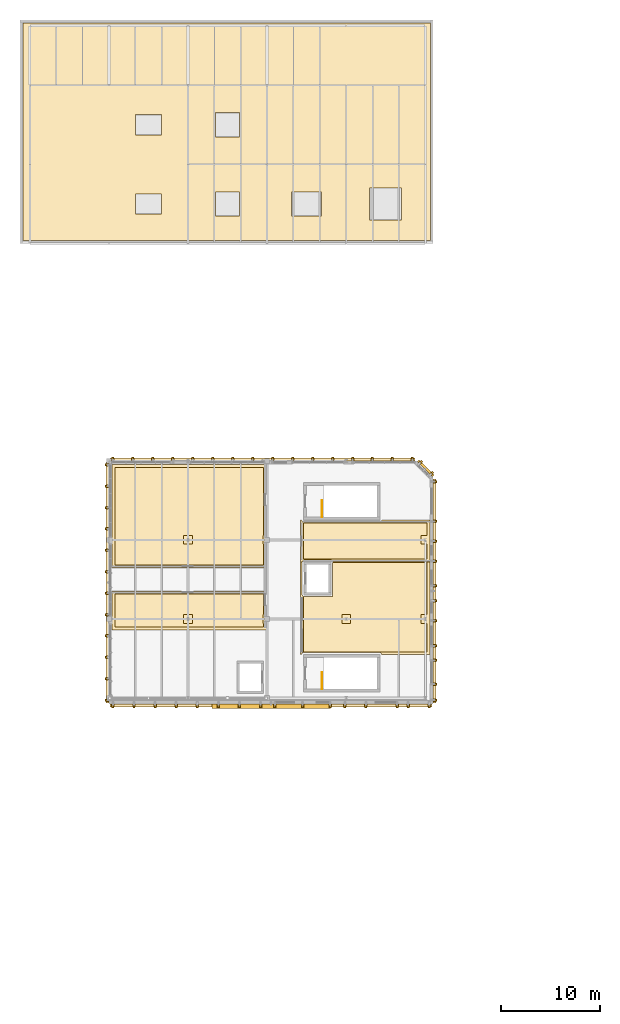
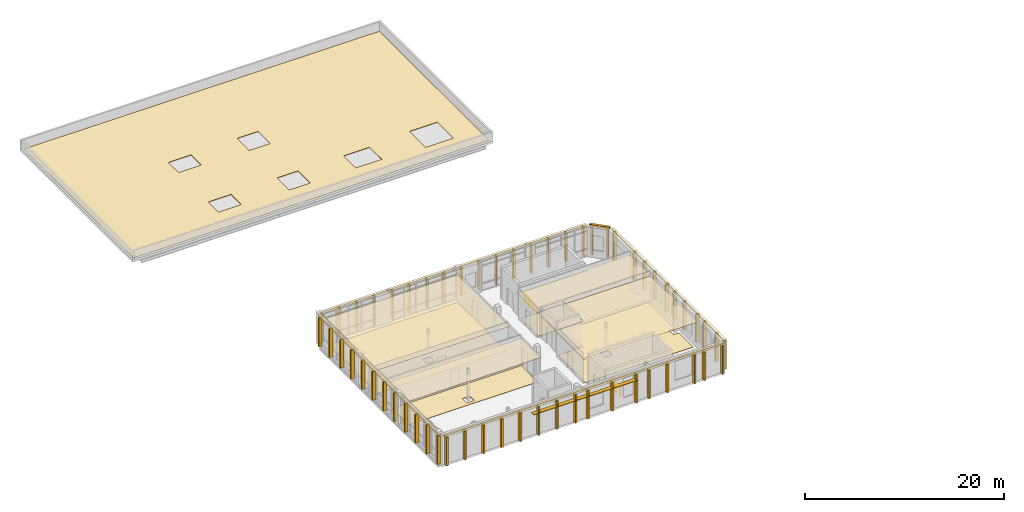
# One storey, part 25 of 28: 71 coverings, 2 railings, 1 shading device.
"""IFC4 building model written with IfcOpenShell, lengths in metres."""

from ifc_helpers import new_model, si_unit, direction, frame, origin, origin_2d, place, context, subcontext, project, spatial, polyline, rectangle, circle, outline, extrude, material, layer, layer_set, type_object, element, save


model = new_model("IFC4")

# Units and contexts
model_context = context("Model", 3, precision=1e-05, world=origin(), true_north=direction((0.0, 1.0)))
body_context = subcontext(model_context, "Body", "Model", "MODEL_VIEW")
ifc_project = project(units=[si_unit("LENGTHUNIT", "METRE"), si_unit("AREAUNIT", "SQUARE_METRE"), si_unit("VOLUMEUNIT", "CUBIC_METRE"), si_unit("PLANEANGLEUNIT", "RADIAN"), si_unit("MASSUNIT", "GRAM", prefix="KILO")], contexts=[model_context])

# Site, building, storey
site_placement = place(None, origin())
site = spatial("IfcSite", under=ifc_project, at=site_placement, CompositionType="ELEMENT")
building_placement = place(site_placement, origin())
building = spatial("IfcBuilding", under=site, at=building_placement, Name="Cymarion Research Institute", CompositionType="ELEMENT")
storey_placement = place(building_placement, frame((0.0, 0.0, 30.60009765625)))
storey = spatial("IfcBuildingStorey", under=building, at=storey_placement, Name="L07", CompositionType="ELEMENT", Elevation=30.60009765625)

# Coverings
ifc_material_1 = material(Name="Micro-perforated mineral acoustic ceiling tile", Category="gypsum")
ifc_layer_1 = layer(ifc_material_1, 0.030029296875)
ifc_layer_set_1 = layer_set([ifc_layer_1], Name="Micro-perforated mineral acoustic ceiling tile")
covering_type_1 = type_object("IfcCoveringType", Name="ACOUSTIC MICRO-PERFORATED SUSPENDED CEILING CLG-01", PredefinedType="CEILING", material=ifc_layer_set_1)
covering_1_placement = place(storey_placement, frame((0.0, 0.0, 3.10986328125)))
element("IfcCovering", 1, at=covering_1_placement, inside=storey, type_object=covering_type_1, Name="L07 L07 Quantum Photonics & Ultrafast Laser Laboratory acoustic ceiling", PredefinedType="CEILING", context=body_context, shape_type="SweptSolid", body=[
    extrude(outline(polyline([(30.514892578125, 55.364990234375), (30.514892578125, 54.385009765625), (14.905029296875, 54.385009765625), (14.905029296875, 58.31494140625), (30.514892578125, 58.31494140625), (30.514892578125, 55.635009765625), (30.465087890625, 55.635009765625), (30.465087890625, 55.364990234375), (30.514892578125, 55.364990234375)])), origin(), (0.0, 0.0, 1.0), 0.030029296875),
])
covering_2_placement = place(storey_placement, frame((0.0, 0.0, 3.10986328125)))
element("IfcCovering", 2, at=covering_2_placement, inside=storey, type_object=covering_type_1, Name="L07 L07 Biophotonics & Sensor Prototyping Laboratory acoustic ceiling", PredefinedType="CEILING", context=body_context, shape_type="SweptSolid", body=[
    extrude(outline(polyline([(30.514892578125, 63.364990234375), (30.514892578125, 60.68505859375), (14.905029296875, 60.68505859375), (14.905029296875, 71.114990234375), (30.514892578125, 71.114990234375), (30.514892578125, 63.635009765625), (30.465087890625, 63.635009765625), (30.465087890625, 63.364990234375), (30.514892578125, 63.364990234375)])), origin(), (0.0, 0.0, 1.0), 0.030029296875),
])
covering_3_placement = place(storey_placement, frame((0.0, 0.0, 3.10986328125)))
element("IfcCovering", 3, at=covering_3_placement, inside=storey, type_object=covering_type_1, Name="L07 L07 Optics Researcher Write-Up & Simulation Office acoustic ceiling", PredefinedType="CEILING", context=body_context, shape_type="SweptSolid", body=[
    extrude(outline(polyline([(47.094970703125, 61.514892578125), (47.094970703125, 51.885009765625), (42.199951171875, 51.885009765625), (42.199951171875, 51.89990234375), (42.198974609375, 51.919677734375), (42.1962890625, 51.93896484375), (42.19140625, 51.9580078125), (42.184814453125, 51.9765625), (42.176513671875, 51.994384765625), (42.166259765625, 52.010986328125), (42.154541015625, 52.02685546875), (42.141357421875, 52.04150390625), (42.126953125, 52.0546875), (42.111083984375, 52.06640625), (42.09423828125, 52.076416015625), (42.076416015625, 52.084716796875), (42.05810546875, 52.09130859375), (42.0390625, 52.09619140625), (42.01953125, 52.09912109375), (42.0, 52.10009765625), (34.300048828125, 52.10009765625), (34.280517578125, 52.09912109375), (34.260986328125, 52.09619140625), (34.241943359375, 52.09130859375), (34.223388671875, 52.084716796875), (34.205810546875, 52.076416015625), (34.18896484375, 52.06640625), (34.173095703125, 52.0546875), (34.15869140625, 52.04150390625), (34.1455078125, 52.02685546875), (34.1337890625, 52.010986328125), (34.12353515625, 51.994384765625), (34.115234375, 51.9765625), (34.108642578125, 51.9580078125), (34.103759765625, 51.93896484375), (34.10107421875, 51.919677734375), (34.10009765625, 51.89990234375), (34.10009765625, 51.885009765625), (33.985107421875, 51.885009765625), (33.985107421875, 61.514892578125), (47.094970703125, 61.514892578125)]), holes=[polyline([(34.31103515625, 57.75390625), (34.330322265625, 57.7509765625), (34.35009765625, 57.75), (37.050048828125, 57.75), (37.069580078125, 57.7509765625), (37.089111328125, 57.75390625), (37.108154296875, 57.758544921875), (37.12646484375, 57.76513671875), (37.144287109375, 57.773681640625), (37.1611328125, 57.78369140625), (37.177001953125, 57.79541015625), (37.19140625, 57.80859375), (37.20458984375, 57.822998046875), (37.21630859375, 57.8388671875), (37.226318359375, 57.855712890625), (37.23486328125, 57.87353515625), (37.241455078125, 57.891845703125), (37.24609375, 57.910888671875), (37.2490234375, 57.930419921875), (37.25, 57.949951171875), (37.25, 61.25), (37.2490234375, 61.26953125), (37.24609375, 61.2890625), (37.241455078125, 61.30810546875), (37.23486328125, 61.326416015625), (37.226318359375, 61.34423828125), (37.21630859375, 61.361083984375), (37.20458984375, 61.376953125), (37.19140625, 61.391357421875), (37.177001953125, 61.404541015625), (37.1611328125, 61.416259765625), (37.144287109375, 61.426513671875), (37.12646484375, 61.434814453125), (37.108154296875, 61.44140625), (37.089111328125, 61.4462890625), (37.069580078125, 61.448974609375), (37.050048828125, 61.449951171875), (34.35009765625, 61.449951171875), (34.330322265625, 61.448974609375), (34.31103515625, 61.4462890625), (34.2919921875, 61.44140625), (34.2734375, 61.434814453125), (34.255615234375, 61.426513671875), (34.239013671875, 61.416259765625), (34.22314453125, 61.404541015625), (34.20849609375, 61.391357421875), (34.1953125, 61.376953125), (34.18359375, 61.361083984375), (34.173583984375, 61.34423828125), (34.165283203125, 61.326416015625), (34.15869140625, 61.30810546875), (34.15380859375, 61.2890625), (34.15087890625, 61.26953125), (34.14990234375, 61.25), (34.14990234375, 57.949951171875), (34.15087890625, 57.930419921875), (34.15380859375, 57.910888671875), (34.15869140625, 57.891845703125), (34.165283203125, 57.87353515625), (34.173583984375, 57.855712890625), (34.18359375, 57.8388671875), (34.1953125, 57.822998046875), (34.20849609375, 57.80859375), (34.22314453125, 57.79541015625), (34.239013671875, 57.78369140625), (34.255615234375, 57.773681640625), (34.2734375, 57.76513671875), (34.2919921875, 57.758544921875), (34.31103515625, 57.75390625)])]), origin(), (0.0, 0.0, 1.0), 0.030029296875),
])
covering_4_placement = place(storey_placement, frame((0.0, 0.0, 3.10986328125)))
element("IfcCovering", 4, at=covering_4_placement, inside=storey, type_object=covering_type_1, Name="L07 L07 Accessible WC and Upper V4 Staff Washrooms acoustic ceiling", PredefinedType="CEILING", context=body_context, shape_type="SweptSolid", body=[
    extrude(outline(polyline([(34.10009765625, 65.514892578125), (34.10009765625, 65.5), (34.10107421875, 65.48046875), (34.103759765625, 65.4609375), (34.108642578125, 65.44189453125), (34.115234375, 65.423583984375), (34.12353515625, 65.40576171875), (34.1337890625, 65.388916015625), (34.1455078125, 65.373046875), (34.15869140625, 65.358642578125), (34.173095703125, 65.345458984375), (34.18896484375, 65.333740234375), (34.205810546875, 65.323486328125), (34.223388671875, 65.315185546875), (34.241943359375, 65.30859375), (34.260986328125, 65.3037109375), (34.280517578125, 65.301025390625), (34.300048828125, 65.300048828125), (42.0, 65.300048828125), (42.01953125, 65.301025390625), (42.0390625, 65.3037109375), (42.05810546875, 65.30859375), (42.076416015625, 65.315185546875), (42.09423828125, 65.323486328125), (42.111083984375, 65.333740234375), (42.126953125, 65.345458984375), (42.141357421875, 65.358642578125), (42.154541015625, 65.373046875), (42.166259765625, 65.388916015625), (42.176513671875, 65.40576171875), (42.184814453125, 65.423583984375), (42.19140625, 65.44189453125), (42.1962890625, 65.4609375), (42.198974609375, 65.48046875), (42.199951171875, 65.5), (42.199951171875, 65.514892578125), (47.094970703125, 65.514892578125), (47.094970703125, 61.284912109375), (37.246826171875, 61.284912109375), (37.24609375, 61.2890625), (37.241455078125, 61.30810546875), (37.23486328125, 61.326416015625), (37.226318359375, 61.34423828125), (37.21630859375, 61.361083984375), (37.20458984375, 61.376953125), (37.19140625, 61.391357421875), (37.177001953125, 61.404541015625), (37.1611328125, 61.416259765625), (37.144287109375, 61.426513671875), (37.12646484375, 61.434814453125), (37.108154296875, 61.44140625), (37.089111328125, 61.4462890625), (37.069580078125, 61.448974609375), (37.050048828125, 61.449951171875), (34.35009765625, 61.449951171875), (34.330322265625, 61.448974609375), (34.31103515625, 61.4462890625), (34.2919921875, 61.44140625), (34.2734375, 61.434814453125), (34.255615234375, 61.426513671875), (34.239013671875, 61.416259765625), (34.22314453125, 61.404541015625), (34.20849609375, 61.391357421875), (34.1953125, 61.376953125), (34.18359375, 61.361083984375), (34.173583984375, 61.34423828125), (34.165283203125, 61.326416015625), (34.15869140625, 61.30810546875), (34.15380859375, 61.2890625), (34.1533203125, 61.284912109375), (33.985107421875, 61.284912109375), (33.985107421875, 65.514892578125), (34.10009765625, 65.514892578125)])), origin(), (0.0, 0.0, 1.0), 0.030029296875),
])

# Shading device
ifc_material_2 = material(Name="Anodised aluminium solar louvre jalousie", Category="aluminium")
ifc_layer_2 = layer(ifc_material_2, 0.06005859375)
ifc_layer_set_2 = layer_set([ifc_layer_2], Name="Anodised aluminium solar louvre jalousie")
shading_device_type = type_object("IfcShadingDeviceType", Name="ANODISED ALUMINIUM HORIZONTAL LOUVRE JALOUSIE SHD3 450MM", PredefinedType="JALOUSIE", material=ifc_layer_set_2)
shading_device_placement = place(storey_placement, frame((31.0, 46.673095703125, 2.789794921875), z_axis=(0.0, 0.0, 1.0), x_axis=(0.0, -1.0, 0.0)))
element("IfcShadingDevice", 5, at=shading_device_placement, inside=storey, type_object=shading_device_type, Name="L07 V4 south aluminium sunshade SHD3 #15", PredefinedType="JALOUSIE", context=body_context, shape_type="SweptSolid", body=[
    extrude(rectangle(XDim=0.449951171875, YDim=12.0, at=origin_2d()), origin(), (0.0, 0.0, 1.0), 0.06005859375),
])

# Railings
ifc_material_3 = material(Name="Steel S355", Category="steel")
railing_type = type_object("IfcRailingType", Name="PAINTED STEEL STAIR GUARDRAIL GR1 1100MM", PredefinedType="GUARDRAIL", material=ifc_material_3)
railing_1_placement = place(storey_placement, frame((36.14990234375, 48.39990234375, 0.0)))
element("IfcRailing", 6, at=railing_1_placement, inside=storey, type_object=railing_type, Name="L07 ST7 top well guard 1", PredefinedType="GUARDRAIL", context=body_context, shape_type="SweptSolid", body=[
    extrude(circle(Radius=0.02392578125, at=origin_2d()), frame((0.0, 0.0, 1.076171875), z_axis=(0.0, 1.0, 0.0), x_axis=(-1.0, 0.0, 0.0)), (0.0, 0.0, 1.0), 1.68017578125),
    extrude(circle(Radius=0.02099609375, at=origin_2d()), origin(), (0.0, 0.0, 1.0), 1.052001953125),
    extrude(circle(Radius=0.02099609375, at=origin_2d()), frame((0.0, 0.840087890625, 0.0)), (0.0, 0.0, 1.0), 1.052001953125),
    extrude(circle(Radius=0.02099609375, at=origin_2d()), frame((0.0, 1.68017578125, 0.0)), (0.0, 0.0, 1.0), 1.052001953125),
])
railing_2_placement = place(storey_placement, frame((36.14990234375, 65.800048828125, 0.0)))
element("IfcRailing", 7, at=railing_2_placement, inside=storey, type_object=railing_type, Name="L07 ST8 top well guard 1", PredefinedType="GUARDRAIL", context=body_context, shape_type="SweptSolid", body=[
    extrude(circle(Radius=0.02392578125, at=origin_2d()), frame((0.0, 0.0, 1.076171875), z_axis=(0.0, 1.0, 0.0), x_axis=(-1.0, 0.0, 0.0)), (0.0, 0.0, 1.0), 1.679931640625),
    extrude(circle(Radius=0.02099609375, at=origin_2d()), origin(), (0.0, 0.0, 1.0), 1.052001953125),
    extrude(circle(Radius=0.02099609375, at=origin_2d()), frame((0.0, 0.83984375, 0.0)), (0.0, 0.0, 1.0), 1.052001953125),
    extrude(circle(Radius=0.02099609375, at=origin_2d()), frame((0.0, 1.679931640625, 0.0)), (0.0, 0.0, 1.0), 1.052001953125),
])

# Coverings
ifc_material_4 = material(Name="Precast concrete C45/55 architectural white", Category="concrete")
ifc_layer_3 = layer(ifc_material_4, 0.260009765625)
ifc_layer_set_3 = layer_set([ifc_layer_3], Name="Precast concrete C45/55 architectural white")
covering_type_2 = type_object("IfcCoveringType", Name="SCULPTURAL WHITE PRECAST CONCRETE SPANDREL BROW BAND RIB2 280MM", PredefinedType="CLADDING", material=ifc_layer_set_3)
covering_5_placement = place(storey_placement, frame((31.0, 46.758056640625, 3.5), z_axis=(0.0, 0.0, 1.0), x_axis=(0.0, -1.0, 0.0)))
element("IfcCovering", 8, at=covering_5_placement, inside=storey, type_object=covering_type_2, Name="L07 V4 precast spandrel brow band RIB2 #1233", PredefinedType="CLADDING", context=body_context, shape_type="SweptSolid", body=[
    extrude(rectangle(XDim=0.280029296875, YDim=32.56005859375, at=origin_2d()), origin(), (0.0, 0.0, 1.0), 0.260009765625),
])
covering_6_placement = place(storey_placement, frame((47.5419921875, 58.35009765625, 3.5), z_axis=(0.0, 0.0, 1.0), x_axis=(1.0, 0.0, 0.0)))
element("IfcCovering", 9, at=covering_6_placement, inside=storey, type_object=covering_type_2, Name="L07 V4 precast spandrel brow band RIB2 #1250", PredefinedType="CLADDING", context=body_context, shape_type="SweptSolid", body=[
    extrude(rectangle(XDim=0.280029296875, YDim=22.659912109375, at=origin_2d()), origin(), (0.0, 0.0, 1.0), 0.260009765625),
])
covering_7_placement = place(storey_placement, frame((46.650390625, 70.75048828125, 3.5), z_axis=(0.0, 0.0, 1.0), x_axis=(0.707106781187, 0.707106781187, 0.0)))
element("IfcCovering", 10, at=covering_7_placement, inside=storey, type_object=covering_type_2, Name="L07 V4 precast spandrel brow band RIB2 #1262", PredefinedType="CLADDING", context=body_context, shape_type="SweptSolid", body=[
    extrude(rectangle(XDim=0.280029296875, YDim=2.1640625, at=origin_2d()), origin(), (0.0, 0.0, 1.0), 0.260009765625),
])
covering_8_placement = place(storey_placement, frame((30.14990234375, 71.64208984375, 3.5), z_axis=(0.0, 0.0, 1.0), x_axis=(0.0, 1.0, 0.0)))
element("IfcCovering", 11, at=covering_8_placement, inside=storey, type_object=covering_type_2, Name="L07 V4 precast spandrel brow band RIB2 #1265", PredefinedType="CLADDING", context=body_context, shape_type="SweptSolid", body=[
    extrude(rectangle(XDim=0.280029296875, YDim=30.860107421875, at=origin_2d()), origin(), (0.0, 0.0, 1.0), 0.260009765625),
])
covering_9_placement = place(storey_placement, frame((14.4580078125, 59.199951171875, 3.5), z_axis=(0.0, 0.0, 1.0), x_axis=(-1.0, 0.0, 0.0)))
element("IfcCovering", 12, at=covering_9_placement, inside=storey, type_object=covering_type_2, Name="L07 V4 precast spandrel brow band RIB2 #1282", PredefinedType="CLADDING", context=body_context, shape_type="SweptSolid", body=[
    extrude(rectangle(XDim=0.280029296875, YDim=24.360107421875, at=origin_2d()), origin(), (0.0, 0.0, 1.0), 0.260009765625),
])
ifc_layer_4 = layer(ifc_material_4, 0.199951171875)
ifc_layer_set_4 = layer_set([ifc_layer_4], Name="Precast concrete C45/55 architectural white")
covering_type_3 = type_object("IfcCoveringType", Name="SCULPTURAL WHITE PRECAST CONCRETE VERTICAL RIB RIB1 380X200", PredefinedType="CLADDING", material=ifc_layer_set_4)
for number, where, z_axis, x_axis, name in (
    (13, (15.0, 46.7080078125, 0.009765625), (0.0, 0.0, 1.0), (0.0, -1.0, 0.0), "L07 V4 sculptural precast vertical rib RIB1 #1234"),
    (14, (17.13330078125, 46.7080078125, 0.009765625), (0.0, 0.0, 1.0), (0.0, -1.0, 0.0), "L07 V4 sculptural precast vertical rib RIB1 #1235"),
    (15, (19.2666015625, 46.7080078125, 0.009765625), (0.0, 0.0, 1.0), (0.0, -1.0, 0.0), "L07 V4 sculptural precast vertical rib RIB1 #1236"),
    (16, (21.39990234375, 46.7080078125, 0.009765625), (0.0, 0.0, 1.0), (0.0, -1.0, 0.0), "L07 V4 sculptural precast vertical rib RIB1 #1237"),
    (17, (23.533203125, 46.7080078125, 0.009765625), (0.0, 0.0, 1.0), (0.0, -1.0, 0.0), "L07 V4 sculptural precast vertical rib RIB1 #1238"),
    (18, (25.666748046875, 46.7080078125, 0.009765625), (0.0, 0.0, 1.0), (0.0, -1.0, 0.0), "L07 V4 sculptural precast vertical rib RIB1 #1239"),
    (19, (27.800048828125, 46.7080078125, 0.009765625), (0.0, 0.0, 1.0), (0.0, -1.0, 0.0), "L07 V4 sculptural precast vertical rib RIB1 #1240"),
    (20, (29.933349609375, 46.7080078125, 0.009765625), (0.0, 0.0, 1.0), (0.0, -1.0, 0.0), "L07 V4 sculptural precast vertical rib RIB1 #1241"),
    (21, (31.3798828125, 46.7080078125, 0.009765625), (0.0, 0.0, 1.0), (0.0, -1.0, 0.0), "L07 V4 sculptural precast vertical rib RIB1 #1242"),
    (22, (34.199951171875, 46.7080078125, 0.009765625), (0.0, 0.0, 1.0), (0.0, -1.0, 0.0), "L07 V4 sculptural precast vertical rib RIB1 #1243"),
    (23, (36.97998046875, 46.7080078125, 0.009765625), (0.0, 0.0, 1.0), (0.0, -1.0, 0.0), "L07 V4 sculptural precast vertical rib RIB1 #1244"),
    (24, (38.466796875, 46.7080078125, 0.009765625), (0.0, 0.0, 1.0), (0.0, -1.0, 0.0), "L07 V4 sculptural precast vertical rib RIB1 #1245"),
    (25, (40.60009765625, 46.7080078125, 0.009765625), (0.0, 0.0, 1.0), (0.0, -1.0, 0.0), "L07 V4 sculptural precast vertical rib RIB1 #1246"),
    (26, (43.75, 46.7080078125, 0.009765625), (0.0, 0.0, 1.0), (0.0, -1.0, 0.0), "L07 V4 sculptural precast vertical rib RIB1 #1247"),
    (27, (44.86669921875, 46.7080078125, 0.009765625), (0.0, 0.0, 1.0), (0.0, -1.0, 0.0), "L07 V4 sculptural precast vertical rib RIB1 #1248"),
    (28, (47.0, 46.7080078125, 0.009765625), (0.0, 0.0, 1.0), (0.0, -1.0, 0.0), "L07 V4 sculptural precast vertical rib RIB1 #1249"),
    (29, (47.592041015625, 47.300048828125, 0.009765625), (0.0, 0.0, 1.0), (1.0, 0.0, 0.0), "L07 V4 sculptural precast vertical rib RIB1 #1251"),
    (30, (47.592041015625, 48.919921875, 0.009765625), (0.0, 0.0, 1.0), (1.0, 0.0, 0.0), "L07 V4 sculptural precast vertical rib RIB1 #1252"),
    (31, (47.592041015625, 51.318115234375, 0.009765625), (0.0, 0.0, 1.0), (1.0, 0.0, 0.0), "L07 V4 sculptural precast vertical rib RIB1 #1253"),
    (32, (47.592041015625, 52.780029296875, 0.009765625), (0.0, 0.0, 1.0), (1.0, 0.0, 0.0), "L07 V4 sculptural precast vertical rib RIB1 #1254"),
    (33, (47.592041015625, 55.33642578125, 0.009765625), (0.0, 0.0, 1.0), (1.0, 0.0, 0.0), "L07 V4 sculptural precast vertical rib RIB1 #1255"),
    (34, (47.592041015625, 57.345458984375, 0.009765625), (0.0, 0.0, 1.0), (1.0, 0.0, 0.0), "L07 V4 sculptural precast vertical rib RIB1 #1256"),
    (35, (47.592041015625, 58.875, 0.009765625), (0.0, 0.0, 1.0), (1.0, 0.0, 0.0), "L07 V4 sculptural precast vertical rib RIB1 #1257"),
    (36, (47.592041015625, 61.363525390625, 0.009765625), (0.0, 0.0, 1.0), (1.0, 0.0, 0.0), "L07 V4 sculptural precast vertical rib RIB1 #1258"),
    (37, (47.592041015625, 63.372802734375, 0.009765625), (0.0, 0.0, 1.0), (1.0, 0.0, 0.0), "L07 V4 sculptural precast vertical rib RIB1 #1259"),
    (38, (47.592041015625, 65.3818359375, 0.009765625), (0.0, 0.0, 1.0), (1.0, 0.0, 0.0), "L07 V4 sculptural precast vertical rib RIB1 #1260"),
    (39, (47.592041015625, 69.39990234375, 0.009765625), (0.0, 0.0, 1.0), (1.0, 0.0, 0.0), "L07 V4 sculptural precast vertical rib RIB1 #1261"),
    (40, (47.2529296875, 70.218505859375, 0.009765625), (0.0, 0.0, 1.0), (0.707106781187, 0.707106781187, 0.0), "L07 V4 sculptural precast vertical rib RIB1 #1263"),
    (41, (46.11865234375, 71.352783203125, 0.009765625), (0.0, 0.0, 1.0), (0.707106781187, 0.707106781187, 0.0), "L07 V4 sculptural precast vertical rib RIB1 #1264"),
    (42, (45.300048828125, 71.69189453125, 0.009765625), (0.0, 0.0, 1.0), (0.0, 1.0, 0.0), "L07 V4 sculptural precast vertical rib RIB1 #1266"),
    (43, (43.280029296875, 71.69189453125, 0.009765625), (0.0, 0.0, 1.0), (0.0, 1.0, 0.0), "L07 V4 sculptural precast vertical rib RIB1 #1267"),
    (44, (41.260009765625, 71.69189453125, 0.009765625), (0.0, 0.0, 1.0), (0.0, 1.0, 0.0), "L07 V4 sculptural precast vertical rib RIB1 #1268"),
    (45, (39.239990234375, 71.69189453125, 0.009765625), (0.0, 0.0, 1.0), (0.0, 1.0, 0.0), "L07 V4 sculptural precast vertical rib RIB1 #1269"),
    (46, (37.219970703125, 71.69189453125, 0.009765625), (0.0, 0.0, 1.0), (0.0, 1.0, 0.0), "L07 V4 sculptural precast vertical rib RIB1 #1270"),
    (47, (35.199951171875, 71.69189453125, 0.009765625), (0.0, 0.0, 1.0), (0.0, 1.0, 0.0), "L07 V4 sculptural precast vertical rib RIB1 #1271"),
    (48, (33.179931640625, 71.69189453125, 0.009765625), (0.0, 0.0, 1.0), (0.0, 1.0, 0.0), "L07 V4 sculptural precast vertical rib RIB1 #1272"),
    (49, (31.159912109375, 71.69189453125, 0.009765625), (0.0, 0.0, 1.0), (0.0, 1.0, 0.0), "L07 V4 sculptural precast vertical rib RIB1 #1273"),
    (50, (29.139892578125, 71.69189453125, 0.009765625), (0.0, 0.0, 1.0), (0.0, 1.0, 0.0), "L07 V4 sculptural precast vertical rib RIB1 #1274"),
    (51, (27.1201171875, 71.69189453125, 0.009765625), (0.0, 0.0, 1.0), (0.0, 1.0, 0.0), "L07 V4 sculptural precast vertical rib RIB1 #1275"),
    (52, (25.10009765625, 71.69189453125, 0.009765625), (0.0, 0.0, 1.0), (0.0, 1.0, 0.0), "L07 V4 sculptural precast vertical rib RIB1 #1276"),
    (53, (23.080078125, 71.69189453125, 0.009765625), (0.0, 0.0, 1.0), (0.0, 1.0, 0.0), "L07 V4 sculptural precast vertical rib RIB1 #1277"),
    (54, (21.06005859375, 71.69189453125, 0.009765625), (0.0, 0.0, 1.0), (0.0, 1.0, 0.0), "L07 V4 sculptural precast vertical rib RIB1 #1278"),
    (55, (19.0400390625, 71.69189453125, 0.009765625), (0.0, 0.0, 1.0), (0.0, 1.0, 0.0), "L07 V4 sculptural precast vertical rib RIB1 #1279"),
    (56, (17.02001953125, 71.69189453125, 0.009765625), (0.0, 0.0, 1.0), (0.0, 1.0, 0.0), "L07 V4 sculptural precast vertical rib RIB1 #1280"),
    (57, (15.0, 71.69189453125, 0.009765625), (0.0, 0.0, 1.0), (0.0, 1.0, 0.0), "L07 V4 sculptural precast vertical rib RIB1 #1281"),
    (58, (14.407958984375, 71.10009765625, 0.009765625), (0.0, 0.0, 1.0), (-1.0, 0.0, 0.0), "L07 V4 sculptural precast vertical rib RIB1 #1283"),
    (59, (14.407958984375, 68.936279296875, 0.009765625), (0.0, 0.0, 1.0), (-1.0, 0.0, 0.0), "L07 V4 sculptural precast vertical rib RIB1 #1284"),
    (60, (14.407958984375, 66.772705078125, 0.009765625), (0.0, 0.0, 1.0), (-1.0, 0.0, 0.0), "L07 V4 sculptural precast vertical rib RIB1 #1285"),
    (61, (14.407958984375, 64.609130859375, 0.009765625), (0.0, 0.0, 1.0), (-1.0, 0.0, 0.0), "L07 V4 sculptural precast vertical rib RIB1 #1286"),
    (62, (14.407958984375, 62.445556640625, 0.009765625), (0.0, 0.0, 1.0), (-1.0, 0.0, 0.0), "L07 V4 sculptural precast vertical rib RIB1 #1287"),
    (63, (14.407958984375, 60.28173828125, 0.009765625), (0.0, 0.0, 1.0), (-1.0, 0.0, 0.0), "L07 V4 sculptural precast vertical rib RIB1 #1288"),
    (64, (14.407958984375, 58.1181640625, 0.009765625), (0.0, 0.0, 1.0), (-1.0, 0.0, 0.0), "L07 V4 sculptural precast vertical rib RIB1 #1289"),
    (65, (14.407958984375, 55.95458984375, 0.009765625), (0.0, 0.0, 1.0), (-1.0, 0.0, 0.0), "L07 V4 sculptural precast vertical rib RIB1 #1290"),
    (66, (14.407958984375, 53.791015625, 0.009765625), (0.0, 0.0, 1.0), (-1.0, 0.0, 0.0), "L07 V4 sculptural precast vertical rib RIB1 #1291"),
    (67, (14.407958984375, 51.627197265625, 0.009765625), (0.0, 0.0, 1.0), (-1.0, 0.0, 0.0), "L07 V4 sculptural precast vertical rib RIB1 #1292"),
    (68, (14.407958984375, 49.463623046875, 0.009765625), (0.0, 0.0, 1.0), (-1.0, 0.0, 0.0), "L07 V4 sculptural precast vertical rib RIB1 #1293"),
    (69, (14.407958984375, 47.300048828125, 0.009765625), (0.0, 0.0, 1.0), (-1.0, 0.0, 0.0), "L07 V4 sculptural precast vertical rib RIB1 #1294"),
):
    element("IfcCovering", number, at=place(storey_placement, frame(where, z_axis=z_axis, x_axis=x_axis)), inside=storey, type_object=covering_type_3, Name=name, PredefinedType="CLADDING", context=body_context, shape_type="SweptSolid", body=[
        extrude(rectangle(XDim=0.3798828125, YDim=0.199951171875, at=origin_2d()), origin(), (0.0, 0.0, 1.0), 3.485107421875),
    ])
ifc_material_5 = material(Name="Seamless dissipative epoxy resin flooring", Category="resin")
ifc_layer_5 = layer(ifc_material_5, 0.02001953125)
ifc_layer_set_5 = layer_set([ifc_layer_5], Name="Seamless dissipative epoxy resin flooring")
covering_type_4 = type_object("IfcCoveringType", Name="SEAMLESS ESD EPOXY LABORATORY FLOORING FLR-01", PredefinedType="FLOORING", material=ifc_layer_set_5)
covering_10_placement = place(storey_placement, origin())
element("IfcCovering", 70, at=covering_10_placement, inside=storey, type_object=covering_type_4, Name="L07 L07 Quantum Photonics & Ultrafast Laser Laboratory ESD epoxy flooring", PredefinedType="FLOORING", context=body_context, shape_type="SweptSolid", body=[
    extrude(outline(polyline([(30.215087890625, 55.06494140625), (30.215087890625, 54.68505859375), (15.205078125, 54.68505859375), (15.205078125, 58.014892578125), (30.215087890625, 58.014892578125), (30.215087890625, 55.93505859375), (30.1650390625, 55.93505859375), (30.1650390625, 55.06494140625), (30.215087890625, 55.06494140625)]), holes=[polyline([(22.1650390625, 55.06494140625), (23.034912109375, 55.06494140625), (23.034912109375, 55.93505859375), (22.1650390625, 55.93505859375), (22.1650390625, 55.06494140625)])]), origin(), (0.0, 0.0, 1.0), 0.02001953125),
])
covering_11_placement = place(storey_placement, origin())
element("IfcCovering", 71, at=covering_11_placement, inside=storey, type_object=covering_type_4, Name="L07 L07 Biophotonics & Sensor Prototyping Laboratory ESD epoxy flooring", PredefinedType="FLOORING", context=body_context, shape_type="SweptSolid", body=[
    extrude(outline(polyline([(30.215087890625, 63.06494140625), (30.215087890625, 60.985107421875), (15.205078125, 60.985107421875), (15.205078125, 70.81494140625), (30.215087890625, 70.81494140625), (30.215087890625, 63.93505859375), (30.1650390625, 63.93505859375), (30.1650390625, 63.06494140625), (30.215087890625, 63.06494140625)]), holes=[polyline([(22.1650390625, 63.06494140625), (23.034912109375, 63.06494140625), (23.034912109375, 63.93505859375), (22.1650390625, 63.93505859375), (22.1650390625, 63.06494140625)])]), origin(), (0.0, 0.0, 1.0), 0.02001953125),
])
covering_12_placement = place(storey_placement, origin())
element("IfcCovering", 72, at=covering_12_placement, inside=storey, type_object=covering_type_4, Name="L07 L07 Optics Researcher Write-Up & Simulation Office ESD epoxy flooring", PredefinedType="FLOORING", context=body_context, shape_type="SweptSolid", body=[
    extrude(outline(polyline([(37.235107421875, 61.215087890625), (46.794921875, 61.215087890625), (46.794921875, 55.93505859375), (46.1650390625, 55.93505859375), (46.1650390625, 55.06494140625), (46.794921875, 55.06494140625), (46.794921875, 52.18505859375), (34.284912109375, 52.18505859375), (34.284912109375, 57.764892578125), (37.235107421875, 57.764892578125), (37.235107421875, 61.215087890625)]), holes=[polyline([(38.1650390625, 55.06494140625), (39.034912109375, 55.06494140625), (39.034912109375, 55.93505859375), (38.1650390625, 55.93505859375), (38.1650390625, 55.06494140625)])]), origin(), (0.0, 0.0, 1.0), 0.02001953125),
])
covering_13_placement = place(storey_placement, origin())
element("IfcCovering", 73, at=covering_13_placement, inside=storey, type_object=covering_type_4, Name="L07 L07 Accessible WC and Upper V4 Staff Washrooms ESD epoxy flooring", PredefinedType="FLOORING", context=body_context, shape_type="SweptSolid", body=[
    extrude(outline(polyline([(34.284912109375, 65.215087890625), (46.794921875, 65.215087890625), (46.794921875, 63.93505859375), (46.1650390625, 63.93505859375), (46.1650390625, 63.06494140625), (46.794921875, 63.06494140625), (46.794921875, 61.5849609375), (34.284912109375, 61.5849609375), (34.284912109375, 65.215087890625)])), origin(), (0.0, 0.0, 1.0), 0.02001953125),
])
ifc_material_6 = material(Name="Pre-weathered titanium-zinc standing seam roofing", Category="metal")
ifc_layer_6 = layer(ifc_material_6, 0.0400390625)
ifc_layer_set_6 = layer_set([ifc_layer_6], Name="Pre-weathered titanium-zinc standing seam roofing")
covering_type_5 = type_object("IfcCoveringType", Name="STANDING SEAM ZINC ROOF MEMBRANE COV-RF01", PredefinedType="ROOFING", material=ifc_layer_set_6)
covering_14_placement = place(storey_placement, origin())
element("IfcCovering", 74, at=covering_14_placement, inside=storey, type_object=covering_type_5, Name="L07 ROOF-L07-V5 standing-seam zinc roofing membrane", PredefinedType="ROOFING", context=body_context, shape_type="SweptSolid", body=[
    extrude(outline(polyline([(5.8798828125, 115.820068359375), (47.1201171875, 115.820068359375), (47.1201171875, 93.780029296875), (5.8798828125, 93.780029296875), (5.8798828125, 115.820068359375)]), holes=[polyline([(17.280029296875, 98.52001953125), (17.280029296875, 96.47998046875), (19.919921875, 96.47998046875), (19.919921875, 98.52001953125), (17.280029296875, 98.52001953125)]), polyline([(27.820068359375, 98.719970703125), (25.3798828125, 98.719970703125), (25.3798828125, 96.280029296875), (27.820068359375, 96.280029296875), (27.820068359375, 98.719970703125)]), polyline([(36.1201171875, 98.719970703125), (33.080078125, 98.719970703125), (33.080078125, 96.280029296875), (36.1201171875, 96.280029296875), (36.1201171875, 98.719970703125)]), polyline([(40.97998046875, 99.1201171875), (40.97998046875, 95.8798828125), (44.219970703125, 95.8798828125), (44.219970703125, 99.1201171875), (40.97998046875, 99.1201171875)]), polyline([(19.919921875, 106.52001953125), (17.280029296875, 106.52001953125), (17.280029296875, 104.47998046875), (19.919921875, 104.47998046875), (19.919921875, 106.52001953125)]), polyline([(27.820068359375, 106.719970703125), (25.3798828125, 106.719970703125), (25.3798828125, 104.280029296875), (27.820068359375, 104.280029296875), (27.820068359375, 106.719970703125)])]), origin(), (0.0, 0.0, 1.0), 0.039794921875),
])

save(model, "model.ifc")
